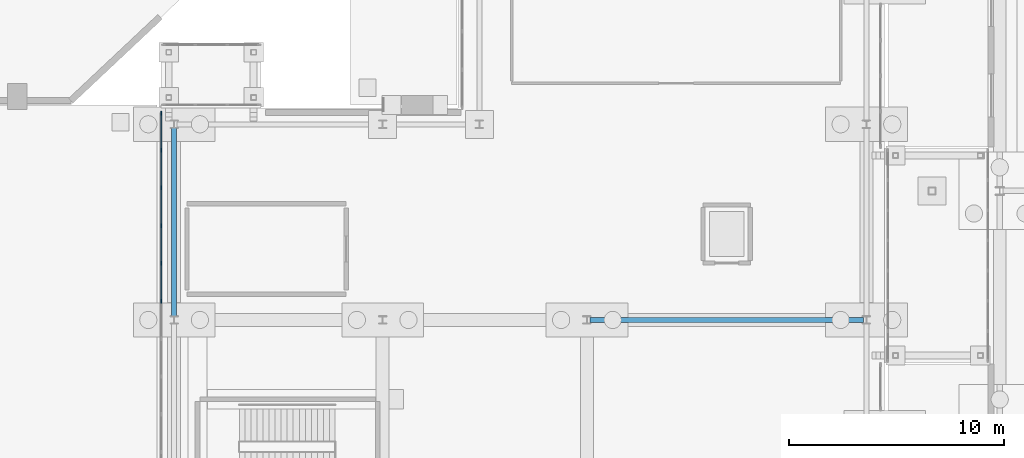
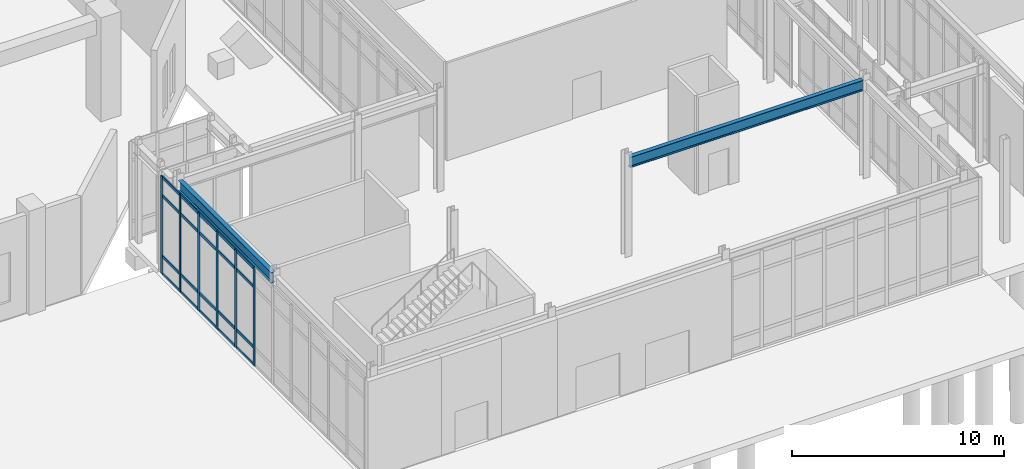
# One storey, part 34 of 143: 26 members, 2 beams, 1 element without a shape of its own.
"""IFC4 building model written with IfcOpenShell, lengths in metres."""

from ifc_helpers import new_model, si_unit, derived_unit, direction, frame, origin, origin_2d, place, context, subcontext, project, spatial, rectangle, i_section, extrude, material, layer, layer_set, material_profile, profile_set, type_object, element, aggregate, save


model = new_model("IFC4")

# Units and contexts
model_context = context("Model", 3, precision=1e-05, world=origin(), true_north=direction((0.0, 1.0)))
body_context = subcontext(model_context, "Body", "Model", "MODEL_VIEW")
ifc_project = project(units=[si_unit("LENGTHUNIT", "METRE"), si_unit("AREAUNIT", "SQUARE_METRE"), si_unit("VOLUMEUNIT", "CUBIC_METRE"), si_unit("PLANEANGLEUNIT", "RADIAN"), si_unit("MASSUNIT", "GRAM", prefix="KILO"), derived_unit("THERMALTRANSMITTANCEUNIT", [(si_unit("MASSUNIT", "GRAM", prefix="KILO"), 1), (si_unit("TIMEUNIT", "SECOND"), -3), (si_unit("THERMODYNAMICTEMPERATUREUNIT", "KELVIN"), -1)])], contexts=[model_context])

# Site, building, storey
site_placement = place(None, origin())
site = spatial("IfcSite", under=ifc_project, at=site_placement, CompositionType="ELEMENT")
building_placement = place(site_placement, origin())
building = spatial("IfcBuilding", under=site, at=building_placement, Name="Valcora Ridge Arena", CompositionType="ELEMENT")
storey_placement = place(building_placement, origin())
storey = spatial("IfcBuildingStorey", under=building, at=storey_placement, Name="L00", CompositionType="ELEMENT", Elevation=0.0)

# Beams
ifc_material_1 = material(Name="Steel ASTM A572 Grade 50", Category="steel")
ifc_material_profile_1 = material_profile(ifc_material_1, i_section(OverallWidth=0.22900390625, OverallDepth=0.612060546875, WebThickness=0.011962890625, FlangeThickness=0.01953125, FilletRadius=0.01806640625, at=origin_2d()), Name="W24X84")
ifc_profile_set_1 = profile_set([ifc_material_profile_1], Name="Steel ASTM A572 Grade 50")
beam_type_1 = type_object("IfcBeamType", Name="TY-BEAM-G-W24X84-X", PredefinedType="BEAM", material=ifc_profile_set_1)
beam_1_placement = place(storey_placement, frame((118.139892578125, 10.0, 5.333984375), z_axis=(1.0, 0.0, 0.0), x_axis=(0.0, 1.0, 0.0)))
element("IfcBeam", 1, at=beam_1_placement, inside=storey, type_object=beam_type_1, Name="G-W24X84-X BEM-G-W24X84-X-0001", PredefinedType="BEAM", context=body_context, shape_type="SweptSolid", body=[
    extrude(i_section(OverallWidth=0.22900390625, OverallDepth=0.612060546875, WebThickness=0.011962890625, FlangeThickness=0.01953125, FilletRadius=0.01806640625, at=origin_2d()), origin(), (0.0, 0.0, 1.0), 12.72021484375),
])
ifc_material_profile_2 = material_profile(ifc_material_1, i_section(OverallWidth=0.22900390625, OverallDepth=0.612060546875, WebThickness=0.011962890625, FlangeThickness=0.01953125, FilletRadius=0.01806640625, at=origin_2d()), Name="W24X84")
ifc_profile_set_2 = profile_set([ifc_material_profile_2], Name="Steel ASTM A572 Grade 50")
beam_type_2 = type_object("IfcBeamType", Name="TY-BEAM-G-W24X84-Y", PredefinedType="BEAM", material=ifc_profile_set_2)
beam_2_placement = place(storey_placement, frame((98.800048828125, 10.139892578125, 5.333984375), z_axis=(0.0, 1.0, 0.0), x_axis=(-1.0, 0.0, 0.0)))
element("IfcBeam", 2, at=beam_2_placement, inside=storey, type_object=beam_type_2, Name="G-W24X84-Y BEM-G-W24X84-Y-0002", PredefinedType="BEAM", context=body_context, shape_type="SweptSolid", body=[
    extrude(i_section(OverallWidth=0.22900390625, OverallDepth=0.612060546875, WebThickness=0.011962890625, FlangeThickness=0.01953125, FilletRadius=0.01806640625, at=origin_2d()), origin(), (0.0, 0.0, 1.0), 8.820068359375),
])

# Curtain wall, members
ifc_material_2 = material(Name="Anodised dark bronze architectural aluminium 6063-T6", Category="aluminium")
ifc_layer = layer(ifc_material_2, 0.179931640625, Name="Anodised dark bronze architectural aluminium 6063-T6")
ifc_layer_set = layer_set([ifc_layer], Name="Anodised dark bronze architectural aluminium 6063-T6")
curtain_wall_type = type_object("IfcCurtainWallType", Name="TY-CURTAINWALL-CW-V3-LANCET-193X56", PredefinedType="NOTDEFINED", material=ifc_layer_set)
curtain_wall_placement = place(storey_placement, origin())
curtain_wall = element("IfcCurtainWall", 3, at=curtain_wall_placement, inside=storey, type_object=curtain_wall_type, Name="CW-V3-LANCET-193X56 CW-0010", PredefinedType="NOTDEFINED")
ifc_material_profile_3 = material_profile(ifc_material_2, rectangle(XDim=0.06005859375, YDim=0.179931640625, at=origin_2d()), Name="ALU MULLION 60x180")
ifc_profile_set_3 = profile_set([ifc_material_profile_3], Name="Anodised dark bronze architectural aluminium 6063-T6")
member_type_1 = type_object("IfcMemberType", Name="TY-MEM-CWM-60x180", PredefinedType="MULLION", material=ifc_profile_set_3)
member_1_placement = place(storey_placement, frame((98.199951171875, 10.877197265625, 0.0), z_axis=(0.0, 0.0, 1.0), x_axis=(-1.0, 0.0, 0.0)))
member_1 = element("IfcMember", 4, at=member_1_placement, type_object=member_type_1, Name="CW-0010/CWM-60x180/M06", PredefinedType="MULLION", context=body_context, shape_type="SweptSolid", body=[
    extrude(rectangle(XDim=0.06005859375, YDim=0.179931640625, at=origin_2d()), origin(), (0.0, 0.0, 1.0), 5.639892578125),
])
member_2_placement = place(storey_placement, frame((98.199951171875, 12.6318359375, 0.0), z_axis=(0.0, 0.0, 1.0), x_axis=(-1.0, 0.0, 0.0)))
member_2 = element("IfcMember", 5, at=member_2_placement, type_object=member_type_1, Name="CW-0010/CWM-60x180/M07", PredefinedType="MULLION", context=body_context, shape_type="SweptSolid", body=[
    extrude(rectangle(XDim=0.06005859375, YDim=0.179931640625, at=origin_2d()), origin(), (0.0, 0.0, 1.0), 5.639892578125),
])
member_3_placement = place(storey_placement, frame((98.199951171875, 14.386474609375, 0.0), z_axis=(0.0, 0.0, 1.0), x_axis=(-1.0, 0.0, 0.0)))
member_3 = element("IfcMember", 6, at=member_3_placement, type_object=member_type_1, Name="CW-0010/CWM-60x180/M08", PredefinedType="MULLION", context=body_context, shape_type="SweptSolid", body=[
    extrude(rectangle(XDim=0.06005859375, YDim=0.179931640625, at=origin_2d()), origin(), (0.0, 0.0, 1.0), 5.639892578125),
])
member_4_placement = place(storey_placement, frame((98.199951171875, 16.140869140625, 0.0), z_axis=(0.0, 0.0, 1.0), x_axis=(-1.0, 0.0, 0.0)))
member_4 = element("IfcMember", 7, at=member_4_placement, type_object=member_type_1, Name="CW-0010/CWM-60x180/M09", PredefinedType="MULLION", context=body_context, shape_type="SweptSolid", body=[
    extrude(rectangle(XDim=0.06005859375, YDim=0.179931640625, at=origin_2d()), origin(), (0.0, 0.0, 1.0), 5.639892578125),
])
member_5_placement = place(storey_placement, frame((98.199951171875, 17.8955078125, 0.0), z_axis=(0.0, 0.0, 1.0), x_axis=(-1.0, 0.0, 0.0)))
member_5 = element("IfcMember", 8, at=member_5_placement, type_object=member_type_1, Name="CW-0010/CWM-60x180/M10", PredefinedType="MULLION", context=body_context, shape_type="SweptSolid", body=[
    extrude(rectangle(XDim=0.06005859375, YDim=0.179931640625, at=origin_2d()), origin(), (0.0, 0.0, 1.0), 5.639892578125),
])
member_6_placement = place(storey_placement, frame((98.199951171875, 19.6201171875, 0.0), z_axis=(0.0, 0.0, 1.0), x_axis=(-1.0, 0.0, 0.0)))
member_6 = element("IfcMember", 9, at=member_6_placement, type_object=member_type_1, Name="CW-0010/CWM-60x180/M11", PredefinedType="MULLION", context=body_context, shape_type="SweptSolid", body=[
    extrude(rectangle(XDim=0.06005859375, YDim=0.179931640625, at=origin_2d()), origin(), (0.0, 0.0, 1.0), 5.639892578125),
])
ifc_material_profile_4 = material_profile(ifc_material_2, rectangle(XDim=0.06005859375, YDim=0.179931640625, at=origin_2d()), Name="ALU TRANSOM 60x180")
ifc_profile_set_4 = profile_set([ifc_material_profile_4], Name="Anodised dark bronze architectural aluminium 6063-T6")
member_type_2 = type_object("IfcMemberType", Name="TY-MEM-CWT-60x180", PredefinedType="USERDEFINED", material=ifc_profile_set_4)
member_7_placement = place(storey_placement, frame((98.199951171875, 10.906982421875, 0.030029296875), z_axis=(0.0, 1.0, 0.0), x_axis=(-1.0, 0.0, 0.0)))
member_7 = element("IfcMember", 10, at=member_7_placement, type_object=member_type_2, Name="CW-0010/CWT-60x180/T06-00", ObjectType="TRANSOM", PredefinedType="USERDEFINED", context=body_context, shape_type="SweptSolid", body=[
    extrude(rectangle(XDim=0.06005859375, YDim=0.179931640625, at=origin_2d()), origin(), (0.0, 0.0, 1.0), 1.695068359375),
])
member_8_placement = place(storey_placement, frame((98.199951171875, 10.906982421875, 1.050048828125), z_axis=(0.0, 1.0, 0.0), x_axis=(-1.0, 0.0, 0.0)))
member_8 = element("IfcMember", 11, at=member_8_placement, type_object=member_type_2, Name="CW-0010/CWT-60x180/T06-01", ObjectType="TRANSOM", PredefinedType="USERDEFINED", context=body_context, shape_type="SweptSolid", body=[
    extrude(rectangle(XDim=0.06005859375, YDim=0.179931640625, at=origin_2d()), origin(), (0.0, 0.0, 1.0), 1.695068359375),
])
member_9_placement = place(storey_placement, frame((98.199951171875, 10.906982421875, 4.5400390625), z_axis=(0.0, 1.0, 0.0), x_axis=(-1.0, 0.0, 0.0)))
member_9 = element("IfcMember", 12, at=member_9_placement, type_object=member_type_2, Name="CW-0010/CWT-60x180/T06-02", ObjectType="TRANSOM", PredefinedType="USERDEFINED", context=body_context, shape_type="SweptSolid", body=[
    extrude(rectangle(XDim=0.06005859375, YDim=0.179931640625, at=origin_2d()), origin(), (0.0, 0.0, 1.0), 1.695068359375),
])
member_10_placement = place(storey_placement, frame((98.199951171875, 10.906982421875, 5.610107421875), z_axis=(0.0, 1.0, 0.0), x_axis=(-1.0, 0.0, 0.0)))
member_10 = element("IfcMember", 13, at=member_10_placement, type_object=member_type_2, Name="CW-0010/CWT-60x180/T06-03", ObjectType="TRANSOM", PredefinedType="USERDEFINED", context=body_context, shape_type="SweptSolid", body=[
    extrude(rectangle(XDim=0.06005859375, YDim=0.179931640625, at=origin_2d()), origin(), (0.0, 0.0, 1.0), 1.695068359375),
])
member_11_placement = place(storey_placement, frame((98.199951171875, 12.662109375, 0.030029296875), z_axis=(0.0, 1.0, 0.0), x_axis=(-1.0, 0.0, 0.0)))
member_11 = element("IfcMember", 14, at=member_11_placement, type_object=member_type_2, Name="CW-0010/CWT-60x180/T07-00", ObjectType="TRANSOM", PredefinedType="USERDEFINED", context=body_context, shape_type="SweptSolid", body=[
    extrude(rectangle(XDim=0.06005859375, YDim=0.179931640625, at=origin_2d()), origin(), (0.0, 0.0, 1.0), 1.69384765625),
])
member_12_placement = place(storey_placement, frame((98.199951171875, 12.662109375, 1.050048828125), z_axis=(0.0, 1.0, 0.0), x_axis=(-1.0, 0.0, 0.0)))
member_12 = element("IfcMember", 15, at=member_12_placement, type_object=member_type_2, Name="CW-0010/CWT-60x180/T07-01", ObjectType="TRANSOM", PredefinedType="USERDEFINED", context=body_context, shape_type="SweptSolid", body=[
    extrude(rectangle(XDim=0.06005859375, YDim=0.179931640625, at=origin_2d()), origin(), (0.0, 0.0, 1.0), 1.69384765625),
])
member_13_placement = place(storey_placement, frame((98.199951171875, 12.662109375, 4.5400390625), z_axis=(0.0, 1.0, 0.0), x_axis=(-1.0, 0.0, 0.0)))
member_13 = element("IfcMember", 16, at=member_13_placement, type_object=member_type_2, Name="CW-0010/CWT-60x180/T07-02", ObjectType="TRANSOM", PredefinedType="USERDEFINED", context=body_context, shape_type="SweptSolid", body=[
    extrude(rectangle(XDim=0.06005859375, YDim=0.179931640625, at=origin_2d()), origin(), (0.0, 0.0, 1.0), 1.69384765625),
])
member_14_placement = place(storey_placement, frame((98.199951171875, 12.662109375, 5.610107421875), z_axis=(0.0, 1.0, 0.0), x_axis=(-1.0, 0.0, 0.0)))
member_14 = element("IfcMember", 17, at=member_14_placement, type_object=member_type_2, Name="CW-0010/CWT-60x180/T07-03", ObjectType="TRANSOM", PredefinedType="USERDEFINED", context=body_context, shape_type="SweptSolid", body=[
    extrude(rectangle(XDim=0.06005859375, YDim=0.179931640625, at=origin_2d()), origin(), (0.0, 0.0, 1.0), 1.69384765625),
])
member_15_placement = place(storey_placement, frame((98.199951171875, 14.416015625, 0.030029296875), z_axis=(0.0, 1.0, 0.0), x_axis=(-1.0, 0.0, 0.0)))
member_15 = element("IfcMember", 18, at=member_15_placement, type_object=member_type_2, Name="CW-0010/CWT-60x180/T08-00", ObjectType="TRANSOM", PredefinedType="USERDEFINED", context=body_context, shape_type="SweptSolid", body=[
    extrude(rectangle(XDim=0.06005859375, YDim=0.179931640625, at=origin_2d()), origin(), (0.0, 0.0, 1.0), 1.695068359375),
])
member_16_placement = place(storey_placement, frame((98.199951171875, 14.416015625, 1.050048828125), z_axis=(0.0, 1.0, 0.0), x_axis=(-1.0, 0.0, 0.0)))
member_16 = element("IfcMember", 19, at=member_16_placement, type_object=member_type_2, Name="CW-0010/CWT-60x180/T08-01", ObjectType="TRANSOM", PredefinedType="USERDEFINED", context=body_context, shape_type="SweptSolid", body=[
    extrude(rectangle(XDim=0.06005859375, YDim=0.179931640625, at=origin_2d()), origin(), (0.0, 0.0, 1.0), 1.695068359375),
])
member_17_placement = place(storey_placement, frame((98.199951171875, 14.416015625, 4.5400390625), z_axis=(0.0, 1.0, 0.0), x_axis=(-1.0, 0.0, 0.0)))
member_17 = element("IfcMember", 20, at=member_17_placement, type_object=member_type_2, Name="CW-0010/CWT-60x180/T08-02", ObjectType="TRANSOM", PredefinedType="USERDEFINED", context=body_context, shape_type="SweptSolid", body=[
    extrude(rectangle(XDim=0.06005859375, YDim=0.179931640625, at=origin_2d()), origin(), (0.0, 0.0, 1.0), 1.695068359375),
])
member_18_placement = place(storey_placement, frame((98.199951171875, 14.416015625, 5.610107421875), z_axis=(0.0, 1.0, 0.0), x_axis=(-1.0, 0.0, 0.0)))
member_18 = element("IfcMember", 21, at=member_18_placement, type_object=member_type_2, Name="CW-0010/CWT-60x180/T08-03", ObjectType="TRANSOM", PredefinedType="USERDEFINED", context=body_context, shape_type="SweptSolid", body=[
    extrude(rectangle(XDim=0.06005859375, YDim=0.179931640625, at=origin_2d()), origin(), (0.0, 0.0, 1.0), 1.695068359375),
])
member_19_placement = place(storey_placement, frame((98.199951171875, 16.1708984375, 0.030029296875), z_axis=(0.0, 1.0, 0.0), x_axis=(-1.0, 0.0, 0.0)))
member_19 = element("IfcMember", 22, at=member_19_placement, type_object=member_type_2, Name="CW-0010/CWT-60x180/T09-00", ObjectType="TRANSOM", PredefinedType="USERDEFINED", context=body_context, shape_type="SweptSolid", body=[
    extrude(rectangle(XDim=0.06005859375, YDim=0.179931640625, at=origin_2d()), origin(), (0.0, 0.0, 1.0), 1.694091796875),
])
member_20_placement = place(storey_placement, frame((98.199951171875, 16.1708984375, 1.050048828125), z_axis=(0.0, 1.0, 0.0), x_axis=(-1.0, 0.0, 0.0)))
member_20 = element("IfcMember", 23, at=member_20_placement, type_object=member_type_2, Name="CW-0010/CWT-60x180/T09-01", ObjectType="TRANSOM", PredefinedType="USERDEFINED", context=body_context, shape_type="SweptSolid", body=[
    extrude(rectangle(XDim=0.06005859375, YDim=0.179931640625, at=origin_2d()), origin(), (0.0, 0.0, 1.0), 1.694091796875),
])
member_21_placement = place(storey_placement, frame((98.199951171875, 16.1708984375, 4.5400390625), z_axis=(0.0, 1.0, 0.0), x_axis=(-1.0, 0.0, 0.0)))
member_21 = element("IfcMember", 24, at=member_21_placement, type_object=member_type_2, Name="CW-0010/CWT-60x180/T09-02", ObjectType="TRANSOM", PredefinedType="USERDEFINED", context=body_context, shape_type="SweptSolid", body=[
    extrude(rectangle(XDim=0.06005859375, YDim=0.179931640625, at=origin_2d()), origin(), (0.0, 0.0, 1.0), 1.694091796875),
])
member_22_placement = place(storey_placement, frame((98.199951171875, 16.1708984375, 5.610107421875), z_axis=(0.0, 1.0, 0.0), x_axis=(-1.0, 0.0, 0.0)))
member_22 = element("IfcMember", 25, at=member_22_placement, type_object=member_type_2, Name="CW-0010/CWT-60x180/T09-03", ObjectType="TRANSOM", PredefinedType="USERDEFINED", context=body_context, shape_type="SweptSolid", body=[
    extrude(rectangle(XDim=0.06005859375, YDim=0.179931640625, at=origin_2d()), origin(), (0.0, 0.0, 1.0), 1.694091796875),
])
member_23_placement = place(storey_placement, frame((98.199951171875, 17.925048828125, 0.030029296875), z_axis=(0.0, 1.0, 0.0), x_axis=(-1.0, 0.0, 0.0)))
member_23 = element("IfcMember", 26, at=member_23_placement, type_object=member_type_2, Name="CW-0010/CWT-60x180/T10-00", ObjectType="TRANSOM", PredefinedType="USERDEFINED", context=body_context, shape_type="SweptSolid", body=[
    extrude(rectangle(XDim=0.06005859375, YDim=0.179931640625, at=origin_2d()), origin(), (0.0, 0.0, 1.0), 1.6650390625),
])
member_24_placement = place(storey_placement, frame((98.199951171875, 17.925048828125, 1.050048828125), z_axis=(0.0, 1.0, 0.0), x_axis=(-1.0, 0.0, 0.0)))
member_24 = element("IfcMember", 27, at=member_24_placement, type_object=member_type_2, Name="CW-0010/CWT-60x180/T10-01", ObjectType="TRANSOM", PredefinedType="USERDEFINED", context=body_context, shape_type="SweptSolid", body=[
    extrude(rectangle(XDim=0.06005859375, YDim=0.179931640625, at=origin_2d()), origin(), (0.0, 0.0, 1.0), 1.6650390625),
])
member_25_placement = place(storey_placement, frame((98.199951171875, 17.925048828125, 4.5400390625), z_axis=(0.0, 1.0, 0.0), x_axis=(-1.0, 0.0, 0.0)))
member_25 = element("IfcMember", 28, at=member_25_placement, type_object=member_type_2, Name="CW-0010/CWT-60x180/T10-02", ObjectType="TRANSOM", PredefinedType="USERDEFINED", context=body_context, shape_type="SweptSolid", body=[
    extrude(rectangle(XDim=0.06005859375, YDim=0.179931640625, at=origin_2d()), origin(), (0.0, 0.0, 1.0), 1.6650390625),
])
member_26_placement = place(storey_placement, frame((98.199951171875, 17.925048828125, 5.610107421875), z_axis=(0.0, 1.0, 0.0), x_axis=(-1.0, 0.0, 0.0)))
member_26 = element("IfcMember", 29, at=member_26_placement, type_object=member_type_2, Name="CW-0010/CWT-60x180/T10-03", ObjectType="TRANSOM", PredefinedType="USERDEFINED", context=body_context, shape_type="SweptSolid", body=[
    extrude(rectangle(XDim=0.06005859375, YDim=0.179931640625, at=origin_2d()), origin(), (0.0, 0.0, 1.0), 1.6650390625),
])
aggregate(curtain_wall, [member_1, member_2, member_3, member_4, member_5, member_6, member_7, member_8, member_9, member_10, member_11, member_12, member_13, member_14, member_15, member_16, member_17, member_18, member_19, member_20, member_21, member_22, member_23, member_24, member_25, member_26])

save(model, "model.ifc")
